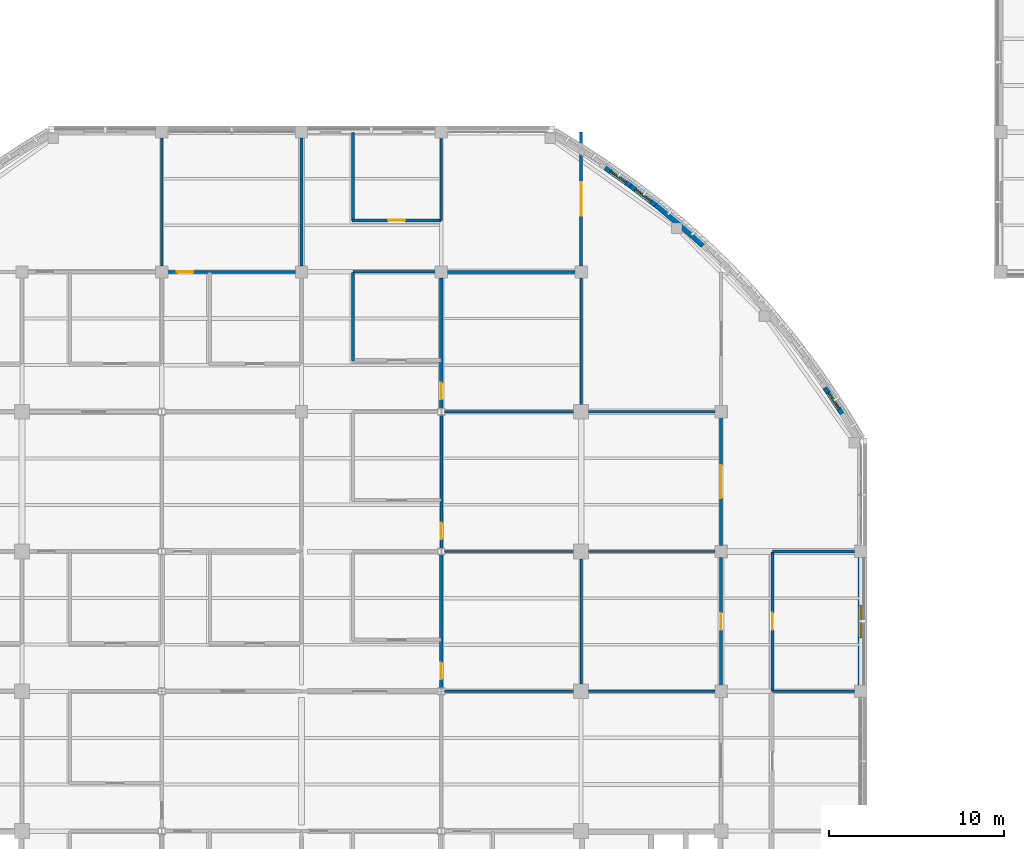
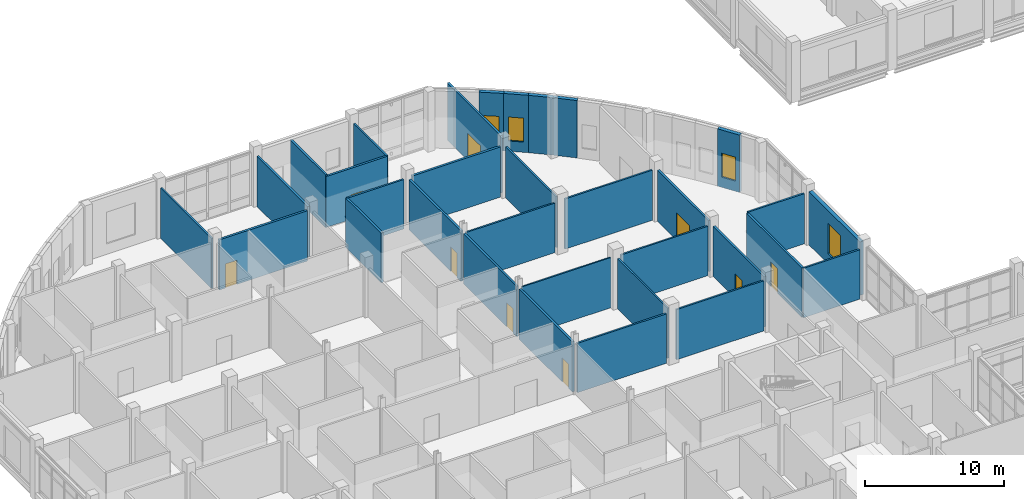
# One storey, part 73 of 105: 32 walls, 9 doors, 4 windows, 13 openings.
"""IFC4 building model written with IfcOpenShell, lengths in metres."""

from ifc_helpers import new_model, si_unit, derived_unit, direction, frame, frame_2d, origin, place, context, subcontext, project, spatial, rectangle, extrude, material, layer, layer_set, type_object, element, fill, save


model = new_model("IFC4")

# Units and contexts
model_context = context("Model", 3, precision=1e-05, world=origin(), true_north=direction((0.0, 1.0)))
body_context = subcontext(model_context, "Body", "Model", "MODEL_VIEW")
ifc_project = project(units=[si_unit("LENGTHUNIT", "METRE"), si_unit("AREAUNIT", "SQUARE_METRE"), si_unit("VOLUMEUNIT", "CUBIC_METRE"), si_unit("PLANEANGLEUNIT", "RADIAN"), si_unit("MASSUNIT", "GRAM", prefix="KILO"), derived_unit("THERMALTRANSMITTANCEUNIT", [(si_unit("MASSUNIT", "GRAM", prefix="KILO"), 1), (si_unit("TIMEUNIT", "SECOND"), -3), (si_unit("THERMODYNAMICTEMPERATUREUNIT", "KELVIN"), -1)])], contexts=[model_context])

# Site, building, storey
site_placement = place(None, origin())
site = spatial("IfcSite", under=ifc_project, at=site_placement, CompositionType="ELEMENT")
building_placement = place(site_placement, origin())
building = spatial("IfcBuilding", under=site, at=building_placement, Name="Veyamyaing Civic Hall", CompositionType="ELEMENT")
storey_placement = place(building_placement, origin())
storey = spatial("IfcBuildingStorey", under=building, at=storey_placement, Name="L00", CompositionType="ELEMENT", Elevation=0.0)

# Wall, opening, window
ifc_material_1 = material(Name="Precast concrete C40/50", Category="concrete")
ifc_layer_1 = layer(ifc_material_1, 0.304931640625, Name="Precast concrete C40/50")
ifc_layer_set_1 = layer_set([ifc_layer_1], Name="Precast concrete C40/50")
wall_type_1 = type_object("IfcWallType", Name="WT-03", PredefinedType="SOLIDWALL", material=ifc_layer_set_1)
wall_1_placement = place(storey_placement, frame((118.94384765625, 79.88330078125, 0.0), z_axis=(0.0, 0.0, 1.0), x_axis=(-0.547681678944, 0.836686786408, 0.0)))
wall_1 = element("IfcWall", 1, at=wall_1_placement, inside=storey, type_object=wall_type_1, Name="Curved corner facade wall WT-03 L00 NE.2", PredefinedType="SOLIDWALL", context=body_context, shape_type="SweptSolid", body=[
    extrude(rectangle(XDim=1.795166015625, YDim=0.304931640625, at=frame_2d((0.8974609375, 0.0))), origin(), (0.0, 0.0, 1.0), 5.034912109375),
])
opening_1_placement = place(wall_1_placement, frame((0.347412109375, 0.0, 0.89990234375)))
opening_1 = element("IfcOpeningElement", 2, at=opening_1_placement, cuts=wall_1, Name="Opening W-15", PredefinedType="OPENING", context=body_context, shape_type="SweptSolid", body=[
    extrude(rectangle(XDim=1.10009765625, YDim=2.10009765625, at=frame_2d((0.550048828125, 1.050048828125))), frame((0.0, 0.162353515625, 0.0), z_axis=(0.0, -1.0, 0.0), x_axis=(1.0, 0.0, 0.0)), (0.0, 0.0, 1.0), 0.324951171875),
])
ifc_material_2 = material(Name="Low-E insulated glass", Category="glass")
window_type_1 = type_object("IfcWindowType", Name="W-15", PartitioningType="SINGLE_PANEL", PredefinedType="WINDOW", material=ifc_material_2)
window_1_placement = place(opening_1_placement, origin())
window_1 = element("IfcWindow", 3, at=window_1_placement, inside=storey, type_object=window_type_1, Name="Curved ribbon window W-15 L00 NE.2", OverallHeight=2.10009765625, OverallWidth=1.10009765625, PartitioningType="SINGLE_PANEL", PredefinedType="WINDOW", context=body_context, shape_type="SweptSolid", body=[
    extrude(rectangle(XDim=1.10009765625, YDim=2.10009765625, at=frame_2d((0.550048828125, 1.050048828125))), frame((0.0, 0.030029296875, 0.0), z_axis=(0.0, -1.0, 0.0), x_axis=(1.0, 0.0, 0.0)), (0.0, 0.0, 1.0), 0.06005859375),
])
fill(opening_1, window_1)

# Walls
wall_2_placement = place(storey_placement, frame((110.975830078125, 89.501708984375, 0.0), z_axis=(0.0, 0.0, 1.0), x_axis=(-0.745703543965, 0.666277888361, 0.0)))
element("IfcWall", 4, at=wall_2_placement, inside=storey, type_object=wall_type_1, Name="Curved corner facade wall WT-03 L00 NE.9", PredefinedType="SOLIDWALL", context=body_context, shape_type="SweptSolid", body=[
    extrude(rectangle(XDim=1.795166015625, YDim=0.304931640625, at=frame_2d((0.8974609375, 0.0))), origin(), (0.0, 0.0, 1.0), 5.034912109375),
])
wall_3_placement = place(storey_placement, frame((109.6416015625, 90.694091796875, 0.0), z_axis=(0.0, 0.0, 1.0), x_axis=(-0.769991012207, 0.638054732073, 0.0)))
element("IfcWall", 5, at=wall_3_placement, inside=storey, type_object=wall_type_1, Name="Curved corner facade wall WT-03 L00 NE.10", PredefinedType="SOLIDWALL", context=body_context, shape_type="SweptSolid", body=[
    extrude(rectangle(XDim=1.794921875, YDim=0.304931640625, at=frame_2d((0.8974609375, 0.0))), origin(), (0.0, 0.0, 1.0), 5.034912109375),
])

# Wall, opening, window
wall_4_placement = place(storey_placement, frame((108.263916015625, 91.835693359375, 0.0), z_axis=(0.0, 0.0, 1.0), x_axis=(-0.793341406114, 0.608776981616, 0.0)))
wall_4 = element("IfcWall", 6, at=wall_4_placement, inside=storey, type_object=wall_type_1, Name="Curved corner facade wall WT-03 L00 NE.11", PredefinedType="SOLIDWALL", context=body_context, shape_type="SweptSolid", body=[
    extrude(rectangle(XDim=1.794921875, YDim=0.304931640625, at=frame_2d((0.8974609375, 0.0))), origin(), (0.0, 0.0, 1.0), 5.034912109375),
])
opening_2_placement = place(wall_4_placement, frame((0.347412109375, 0.0, 0.89990234375)))
opening_2 = element("IfcOpeningElement", 7, at=opening_2_placement, cuts=wall_4, Name="Opening W-15", PredefinedType="OPENING", context=body_context, shape_type="SweptSolid", body=[
    extrude(rectangle(XDim=1.10009765625, YDim=2.10009765625, at=frame_2d((0.550048828125, 1.050048828125))), frame((0.0, 0.162353515625, 0.0), z_axis=(0.0, -1.0, 0.0), x_axis=(1.0, 0.0, 0.0)), (0.0, 0.0, 1.0), 0.324951171875),
])
window_2_placement = place(opening_2_placement, origin())
window_2 = element("IfcWindow", 8, at=window_2_placement, inside=storey, type_object=window_type_1, Name="Curved ribbon window W-15 L00 NE.11", OverallHeight=2.10009765625, OverallWidth=1.10009765625, PartitioningType="SINGLE_PANEL", PredefinedType="WINDOW", context=body_context, shape_type="SweptSolid", body=[
    extrude(rectangle(XDim=1.10009765625, YDim=2.10009765625, at=frame_2d((0.550048828125, 1.050048828125))), frame((0.0, 0.030029296875, 0.0), z_axis=(0.0, -1.0, 0.0), x_axis=(1.0, 0.0, 0.0)), (0.0, 0.0, 1.0), 0.06005859375),
])
fill(opening_2, window_2)

wall_5_placement = place(storey_placement, frame((106.844482421875, 92.925048828125, 0.0), z_axis=(0.0, 0.0, 1.0), x_axis=(-0.815567185578, 0.578662393636, 0.0)))
wall_5 = element("IfcWall", 9, at=wall_5_placement, inside=storey, type_object=wall_type_1, Name="Curved corner facade wall WT-03 L00 NE.12", PredefinedType="SOLIDWALL", context=body_context, shape_type="SweptSolid", body=[
    extrude(rectangle(XDim=1.795166015625, YDim=0.304931640625, at=frame_2d((0.8974609375, 0.0))), origin(), (0.0, 0.0, 1.0), 5.034912109375),
])
opening_3_placement = place(wall_5_placement, frame((0.34765625, 0.0, 0.89990234375)))
opening_3 = element("IfcOpeningElement", 10, at=opening_3_placement, cuts=wall_5, Name="Opening W-15", PredefinedType="OPENING", context=body_context, shape_type="SweptSolid", body=[
    extrude(rectangle(XDim=1.10009765625, YDim=2.10009765625, at=frame_2d((0.550048828125, 1.050048828125))), frame((0.0, 0.162353515625, 0.0), z_axis=(0.0, -1.0, 0.0), x_axis=(1.0, 0.0, 0.0)), (0.0, 0.0, 1.0), 0.324951171875),
])
window_3_placement = place(opening_3_placement, origin())
window_3 = element("IfcWindow", 11, at=window_3_placement, inside=storey, type_object=window_type_1, Name="Curved ribbon window W-15 L00 NE.12", OverallHeight=2.10009765625, OverallWidth=1.10009765625, PartitioningType="SINGLE_PANEL", PredefinedType="WINDOW", context=body_context, shape_type="SweptSolid", body=[
    extrude(rectangle(XDim=1.10009765625, YDim=2.10009765625, at=frame_2d((0.550048828125, 1.050048828125))), frame((0.0, 0.030029296875, 0.0), z_axis=(0.0, -1.0, 0.0), x_axis=(1.0, 0.0, 0.0)), (0.0, 0.0, 1.0), 0.06005859375),
])
fill(opening_3, window_3)

wall_6_placement = place(storey_placement, frame((120.0, 64.3349609375, 0.0), z_axis=(0.0, 0.0, 1.0), x_axis=(0.0, 1.0, 0.0)))
wall_6 = element("IfcWall", 12, at=wall_6_placement, inside=storey, type_object=wall_type_1, Name="Exterior facade wall WT-03 L00 E 15.9", PredefinedType="SOLIDWALL", context=body_context, shape_type="SweptSolid", body=[
    extrude(rectangle(XDim=7.330078125, YDim=0.304931640625, at=frame_2d((3.6650390625, 0.0))), origin(), (0.0, 0.0, 1.0), 4.677001953125),
])
opening_4_placement = place(wall_6_placement, frame((2.739990234375, 0.0, 0.89990234375)))
opening_4 = element("IfcOpeningElement", 13, at=opening_4_placement, cuts=wall_6, Name="Opening W-03", PredefinedType="OPENING", context=body_context, shape_type="SweptSolid", body=[
    extrude(rectangle(XDim=1.85009765625, YDim=2.64990234375, at=frame_2d((0.925048828125, 1.324951171875))), frame((0.0, 0.162353515625, 0.0), z_axis=(0.0, -1.0, 0.0), x_axis=(1.0, 0.0, 0.0)), (0.0, 0.0, 1.0), 0.324951171875),
])
window_type_2 = type_object("IfcWindowType", Name="W-03", PartitioningType="SINGLE_PANEL", PredefinedType="WINDOW", material=ifc_material_2)
window_4_placement = place(opening_4_placement, origin())
window_4 = element("IfcWindow", 14, at=window_4_placement, inside=storey, type_object=window_type_2, Name="Facade window W-03 L00 E 15.9", OverallHeight=2.64990234375, OverallWidth=1.85009765625, PartitioningType="SINGLE_PANEL", PredefinedType="WINDOW", context=body_context, shape_type="SweptSolid", body=[
    extrude(rectangle(XDim=1.85009765625, YDim=2.64990234375, at=frame_2d((0.925048828125, 1.324951171875))), frame((0.0, 0.030029296875, 0.0), z_axis=(0.0, -1.0, 0.0), x_axis=(1.0, 0.0, 0.0)), (0.0, 0.0, 1.0), 0.06005859375),
])
fill(opening_4, window_4)

# Wall, opening, door
ifc_material_3 = material(Name="Gypsum board on acoustic steel stud", Category="steel")
ifc_layer_2 = layer(ifc_material_3, 0.175048828125, Name="Gypsum board on acoustic steel stud")
ifc_layer_set_2 = layer_set([ifc_layer_2], Name="Gypsum board on acoustic steel stud")
wall_type_2 = type_object("IfcWallType", Name="WT-07", PredefinedType="PARTITIONING", material=ifc_layer_set_2)
wall_7_placement = place(storey_placement, frame((90.89990234375, 90.949951171875, 0.0), z_axis=(0.0, 0.0, 1.0), x_axis=(1.0, 0.0, 0.0)))
wall_7 = element("IfcWall", 15, at=wall_7_placement, inside=storey, type_object=wall_type_2, Name="Corridor gallery partition WT-07 L00.45.1", PredefinedType="PARTITIONING", context=body_context, shape_type="SweptSolid", body=[
    extrude(rectangle(XDim=5.080078125, YDim=0.175048828125, at=frame_2d((2.5400390625, 0.0))), origin(), (0.0, 0.0, 1.0), 4.470947265625),
])
opening_5_placement = place(wall_7_placement, frame((2.06005859375, 0.0, 0.0)))
opening_5 = element("IfcOpeningElement", 16, at=opening_5_placement, cuts=wall_7, Name="Opening D-25", PredefinedType="OPENING", context=body_context, shape_type="SweptSolid", body=[
    extrude(rectangle(XDim=0.9599609375, YDim=2.139892578125, at=frame_2d((0.47998046875, 1.06982421875))), frame((0.0, 0.097412109375, 0.0), z_axis=(0.0, -1.0, 0.0), x_axis=(1.0, 0.0, 0.0)), (0.0, 0.0, 1.0), 0.195068359375),
])
ifc_material_4 = material(Name="Teak-veneered acoustic timber", Category="wood")
door_type_1 = type_object("IfcDoorType", Name="D-25", OperationType="NOTDEFINED", PredefinedType="DOOR", material=ifc_material_4)
door_1_placement = place(opening_5_placement, origin())
door_1 = element("IfcDoor", 17, at=door_1_placement, inside=storey, type_object=door_type_1, Name="Gallery office door D-25 L00.45", OperationType="SINGLE_SWING_RIGHT", OverallHeight=2.139892578125, OverallWidth=0.9599609375, PredefinedType="DOOR", context=body_context, shape_type="SweptSolid", body=[
    extrude(rectangle(XDim=0.9599609375, YDim=2.139892578125, at=frame_2d((0.47998046875, 1.06982421875))), frame((0.0, 0.02490234375, 0.0), z_axis=(0.0, -1.0, 0.0), x_axis=(1.0, 0.0, 0.0)), (0.0, 0.0, 1.0), 0.050048828125),
])
fill(opening_5, door_1)

# Wall
wall_8_placement = place(storey_placement, frame((90.949951171875, 90.89990234375, 0.0), z_axis=(0.0, 0.0, 1.0), x_axis=(0.0, 1.0, 0.0)))
element("IfcWall", 18, at=wall_8_placement, inside=storey, type_object=wall_type_2, Name="Corridor gallery partition WT-07 L00.45.2", PredefinedType="PARTITIONING", context=body_context, shape_type="SweptSolid", body=[
    extrude(rectangle(XDim=5.080078125, YDim=0.175048828125, at=frame_2d((2.5400390625, 0.0))), origin(), (0.0, 0.0, 1.0), 4.613037109375),
])

# Wall, opening, door
wall_9_placement = place(storey_placement, frame((114.949951171875, 64.02001953125, 0.0), z_axis=(0.0, 0.0, 1.0), x_axis=(0.0, 1.0, 0.0)))
wall_9 = element("IfcWall", 19, at=wall_9_placement, inside=storey, type_object=wall_type_2, Name="Corridor gallery partition WT-07 L00.51.1", PredefinedType="PARTITIONING", context=body_context, shape_type="SweptSolid", body=[
    extrude(rectangle(XDim=7.9599609375, YDim=0.175048828125, at=frame_2d((3.97998046875, 0.0))), origin(), (0.0, 0.0, 1.0), 4.3359375),
])
opening_6_placement = place(wall_9_placement, frame((3.489990234375, 0.0, 0.0)))
opening_6 = element("IfcOpeningElement", 20, at=opening_6_placement, cuts=wall_9, Name="Opening D-14", PredefinedType="OPENING", context=body_context, shape_type="SweptSolid", body=[
    extrude(rectangle(XDim=0.97998046875, YDim=2.14990234375, at=frame_2d((0.489990234375, 1.074951171875))), frame((0.0, 0.097412109375, 0.0), z_axis=(0.0, -1.0, 0.0), x_axis=(1.0, 0.0, 0.0)), (0.0, 0.0, 1.0), 0.195068359375),
])
door_type_2 = type_object("IfcDoorType", Name="D-14", OperationType="NOTDEFINED", PredefinedType="DOOR", material=ifc_material_4)
door_2_placement = place(opening_6_placement, frame((0.97998046875, 0.0, 0.0), z_axis=(0.0, 0.0, 1.0), x_axis=(-1.0, 0.0, 0.0)))
door_2 = element("IfcDoor", 21, at=door_2_placement, inside=storey, type_object=door_type_2, Name="Gallery office door D-14 L00.51", OperationType="SINGLE_SWING_RIGHT", OverallHeight=2.14990234375, OverallWidth=0.97998046875, PredefinedType="DOOR", context=body_context, shape_type="SweptSolid", body=[
    extrude(rectangle(XDim=0.97998046875, YDim=2.14990234375, at=frame_2d((0.489990234375, 1.074951171875))), frame((0.0, 0.02490234375, 0.0), z_axis=(0.0, -1.0, 0.0), x_axis=(1.0, 0.0, 0.0)), (0.0, 0.0, 1.0), 0.050048828125),
])
fill(opening_6, door_2)

# Wall
wall_10_placement = place(storey_placement, frame((88.0, 88.340087890625, 0.0), z_axis=(0.0, 0.0, 1.0), x_axis=(0.0, 1.0, 0.0)))
element("IfcWall", 22, at=wall_10_placement, inside=storey, type_object=wall_type_2, Name="Interior partition wall WT-07 L00.81", PredefinedType="PARTITIONING", context=body_context, shape_type="SweptSolid", body=[
    extrude(rectangle(XDim=7.31982421875, YDim=0.175048828125, at=frame_2d((3.659912109375, 0.0))), origin(), (0.0, 0.0, 1.0), 4.404052734375),
])

# Wall, opening, door
wall_11_placement = place(storey_placement, frame((96.0, 72.18359375, 0.0), z_axis=(0.0, 0.0, 1.0), x_axis=(0.0, 1.0, 0.0)))
wall_11 = element("IfcWall", 23, at=wall_11_placement, inside=storey, type_object=wall_type_2, Name="Interior partition wall WT-07 L00.93", PredefinedType="PARTITIONING", context=body_context, shape_type="SweptSolid", body=[
    extrude(rectangle(XDim=7.6328125, YDim=0.175048828125, at=frame_2d((3.81640625, 0.0))), origin(), (0.0, 0.0, 1.0), 4.412109375),
])
opening_7_placement = place(wall_11_placement, frame((0.52001953125, 0.0, 0.0)))
opening_7 = element("IfcOpeningElement", 24, at=opening_7_placement, cuts=wall_11, Name="Opening D-30", PredefinedType="OPENING", context=body_context, shape_type="SweptSolid", body=[
    extrude(rectangle(XDim=0.93994140625, YDim=2.1201171875, at=frame_2d((0.469970703125, 1.06005859375))), frame((0.0, 0.097412109375, 0.0), z_axis=(0.0, -1.0, 0.0), x_axis=(1.0, 0.0, 0.0)), (0.0, 0.0, 1.0), 0.195068359375),
])
door_type_3 = type_object("IfcDoorType", Name="D-30", OperationType="NOTDEFINED", PredefinedType="DOOR", material=ifc_material_4)
door_3_placement = place(opening_7_placement, frame((0.93994140625, 0.0, 0.0), z_axis=(0.0, 0.0, 1.0), x_axis=(-1.0, 0.0, 0.0)))
door_3 = element("IfcDoor", 25, at=door_3_placement, inside=storey, type_object=door_type_3, Name="Interior door D-30 L00.93", OperationType="SINGLE_SWING_LEFT", OverallHeight=2.1201171875, OverallWidth=0.93994140625, PredefinedType="DOOR", context=body_context, shape_type="SweptSolid", body=[
    extrude(rectangle(XDim=0.93994140625, YDim=2.1201171875, at=frame_2d((0.469970703125, 1.06005859375))), frame((0.0, 0.02490234375, 0.0), z_axis=(0.0, -1.0, 0.0), x_axis=(1.0, 0.0, 0.0)), (0.0, 0.0, 1.0), 0.050048828125),
])
fill(opening_7, door_3)

wall_12_placement = place(storey_placement, frame((104.0, 88.340087890625, 0.0), z_axis=(0.0, 0.0, 1.0), x_axis=(0.0, 1.0, 0.0)))
wall_12 = element("IfcWall", 26, at=wall_12_placement, inside=storey, type_object=wall_type_2, Name="Interior partition wall WT-07 L00.109", PredefinedType="PARTITIONING", context=body_context, shape_type="SweptSolid", body=[
    extrude(rectangle(XDim=7.659912109375, YDim=0.175048828125, at=frame_2d((3.830078125, 0.0))), origin(), (0.0, 0.0, 1.0), 5.02490234375),
])
opening_8_placement = place(wall_12_placement, frame((2.8798828125, 0.0, 0.0)))
opening_8 = element("IfcOpeningElement", 27, at=opening_8_placement, cuts=wall_12, Name="Opening D-31", PredefinedType="OPENING", context=body_context, shape_type="SweptSolid", body=[
    extrude(rectangle(XDim=1.89990234375, YDim=2.3798828125, at=frame_2d((0.949951171875, 1.18994140625))), frame((0.0, 0.097412109375, 0.0), z_axis=(0.0, -1.0, 0.0), x_axis=(1.0, 0.0, 0.0)), (0.0, 0.0, 1.0), 0.195068359375),
])
door_type_4 = type_object("IfcDoorType", Name="D-31", OperationType="DOUBLE_DOOR_SINGLE_SWING", PredefinedType="DOOR", material=ifc_material_4)
door_4_placement = place(opening_8_placement, frame((1.89990234375, 0.0, 0.0), z_axis=(0.0, 0.0, 1.0), x_axis=(-1.0, 0.0, 0.0)))
door_4 = element("IfcDoor", 28, at=door_4_placement, inside=storey, type_object=door_type_4, Name="Interior door D-31 L00.109", OperationType="DOUBLE_DOOR_SINGLE_SWING", OverallHeight=2.3798828125, OverallWidth=1.89990234375, PredefinedType="DOOR", context=body_context, shape_type="SweptSolid", body=[
    extrude(rectangle(XDim=1.89990234375, YDim=2.3798828125, at=frame_2d((0.949951171875, 1.18994140625))), frame((0.0, 0.02490234375, 0.0), z_axis=(0.0, -1.0, 0.0), x_axis=(1.0, 0.0, 0.0)), (0.0, 0.0, 1.0), 0.050048828125),
])
fill(opening_8, door_4)

wall_13_placement = place(storey_placement, frame((112.0, 64.340087890625, 0.0), z_axis=(0.0, 0.0, 1.0), x_axis=(0.0, 1.0, 0.0)))
wall_13 = element("IfcWall", 29, at=wall_13_placement, inside=storey, type_object=wall_type_2, Name="Interior partition wall WT-07 L00.115", PredefinedType="PARTITIONING", context=body_context, shape_type="SweptSolid", body=[
    extrude(rectangle(XDim=7.31982421875, YDim=0.175048828125, at=frame_2d((3.659912109375, 0.0))), origin(), (0.0, 0.0, 1.0), 4.404052734375),
])
opening_9_placement = place(wall_13_placement, frame((3.179931640625, 0.0, 0.0)))
opening_9 = element("IfcOpeningElement", 30, at=opening_9_placement, cuts=wall_13, Name="Opening D-25", PredefinedType="OPENING", context=body_context, shape_type="SweptSolid", body=[
    extrude(rectangle(XDim=0.9599609375, YDim=2.139892578125, at=frame_2d((0.47998046875, 1.06982421875))), frame((0.0, 0.097412109375, 0.0), z_axis=(0.0, -1.0, 0.0), x_axis=(1.0, 0.0, 0.0)), (0.0, 0.0, 1.0), 0.195068359375),
])
door_5_placement = place(opening_9_placement, origin())
door_5 = element("IfcDoor", 31, at=door_5_placement, inside=storey, type_object=door_type_1, Name="Interior door D-25 L00.115", OperationType="SINGLE_SWING_LEFT", OverallHeight=2.139892578125, OverallWidth=0.9599609375, PredefinedType="DOOR", context=body_context, shape_type="SweptSolid", body=[
    extrude(rectangle(XDim=0.9599609375, YDim=2.139892578125, at=frame_2d((0.47998046875, 1.06982421875))), frame((0.0, 0.02490234375, 0.0), z_axis=(0.0, -1.0, 0.0), x_axis=(1.0, 0.0, 0.0)), (0.0, 0.0, 1.0), 0.050048828125),
])
fill(opening_9, door_5)

wall_14_placement = place(storey_placement, frame((112.0, 72.340087890625, 0.0), z_axis=(0.0, 0.0, 1.0), x_axis=(0.0, 1.0, 0.0)))
wall_14 = element("IfcWall", 32, at=wall_14_placement, inside=storey, type_object=wall_type_2, Name="Interior partition wall WT-07 L00.117", PredefinedType="PARTITIONING", context=body_context, shape_type="SweptSolid", body=[
    extrude(rectangle(XDim=7.31982421875, YDim=0.175048828125, at=frame_2d((3.659912109375, 0.0))), origin(), (0.0, 0.0, 1.0), 4.470947265625),
])
opening_10_placement = place(wall_14_placement, frame((2.7099609375, 0.0, 0.0)))
opening_10 = element("IfcOpeningElement", 33, at=opening_10_placement, cuts=wall_14, Name="Opening D-31", PredefinedType="OPENING", context=body_context, shape_type="SweptSolid", body=[
    extrude(rectangle(XDim=1.89990234375, YDim=2.3798828125, at=frame_2d((0.949951171875, 1.18994140625))), frame((0.0, 0.097412109375, 0.0), z_axis=(0.0, -1.0, 0.0), x_axis=(1.0, 0.0, 0.0)), (0.0, 0.0, 1.0), 0.195068359375),
])
door_6_placement = place(opening_10_placement, origin())
door_6 = element("IfcDoor", 34, at=door_6_placement, inside=storey, type_object=door_type_4, Name="Interior door D-31 L00.117", OperationType="DOUBLE_DOOR_SINGLE_SWING", OverallHeight=2.3798828125, OverallWidth=1.89990234375, PredefinedType="DOOR", context=body_context, shape_type="SweptSolid", body=[
    extrude(rectangle(XDim=1.89990234375, YDim=2.3798828125, at=frame_2d((0.949951171875, 1.18994140625))), frame((0.0, 0.02490234375, 0.0), z_axis=(0.0, -1.0, 0.0), x_axis=(1.0, 0.0, 0.0)), (0.0, 0.0, 1.0), 0.050048828125),
])
fill(opening_10, door_6)

# Walls
ifc_material_5 = material(Name="Gypsum board on steel stud", Category="steel")
ifc_layer_3 = layer(ifc_material_5, 0.14990234375, Name="Gypsum board on steel stud")
ifc_layer_set_3 = layer_set([ifc_layer_3], Name="Gypsum board on steel stud")
wall_type_3 = type_object("IfcWallType", Name="WT-08", PredefinedType="PARTITIONING", material=ifc_layer_set_3)
wall_15_placement = place(storey_placement, frame((90.949951171875, 88.0, 0.0), z_axis=(0.0, 0.0, 1.0), x_axis=(1.0, 0.0, 0.0)))
element("IfcWall", 35, at=wall_15_placement, inside=storey, type_object=wall_type_3, Name="Gallery office end partition WT-08 L00.44.1", PredefinedType="PARTITIONING", context=body_context, shape_type="SweptSolid", body=[
    extrude(rectangle(XDim=4.68994140625, YDim=0.14990234375, at=frame_2d((2.344970703125, 0.0))), origin(), (0.0, 0.0, 1.0), 4.3359375),
])
wall_16_placement = place(storey_placement, frame((96.0, 90.949951171875, 0.0), z_axis=(0.0, 0.0, 1.0), x_axis=(0.0, 1.0, 0.0)))
element("IfcWall", 36, at=wall_16_placement, inside=storey, type_object=wall_type_3, Name="Gallery office end partition WT-08 L00.45.2", PredefinedType="PARTITIONING", context=body_context, shape_type="SweptSolid", body=[
    extrude(rectangle(XDim=4.68994140625, YDim=0.14990234375, at=frame_2d((2.344970703125, 0.0))), origin(), (0.0, 0.0, 1.0), 4.470947265625),
])
wall_17_placement = place(storey_placement, frame((114.949951171875, 64.0, 0.0), z_axis=(0.0, 0.0, 1.0), x_axis=(1.0, 0.0, 0.0)))
element("IfcWall", 37, at=wall_17_placement, inside=storey, type_object=wall_type_3, Name="Gallery office end partition WT-08 L00.50.2", PredefinedType="PARTITIONING", context=body_context, shape_type="SweptSolid", body=[
    extrude(rectangle(XDim=4.68994140625, YDim=0.14990234375, at=frame_2d((2.344970703125, 0.0))), origin(), (0.0, 0.0, 1.0), 4.3359375),
])
wall_18_placement = place(storey_placement, frame((114.949951171875, 72.0, 0.0), z_axis=(0.0, 0.0, 1.0), x_axis=(1.0, 0.0, 0.0)))
element("IfcWall", 38, at=wall_18_placement, inside=storey, type_object=wall_type_3, Name="Gallery office end partition WT-08 L00.51.2", PredefinedType="PARTITIONING", context=body_context, shape_type="SweptSolid", body=[
    extrude(rectangle(XDim=4.68994140625, YDim=0.14990234375, at=frame_2d((2.344970703125, 0.0))), origin(), (0.0, 0.0, 1.0), 4.404052734375),
])
wall_19_placement = place(storey_placement, frame((96.18896484375, 64.0, 0.0), z_axis=(0.0, 0.0, 1.0), x_axis=(1.0, 0.0, 0.0)))
element("IfcWall", 39, at=wall_19_placement, inside=storey, type_object=wall_type_3, Name="Interior partition wall WT-08 L00.103", PredefinedType="PARTITIONING", context=body_context, shape_type="SweptSolid", body=[
    extrude(rectangle(XDim=7.39599609375, YDim=0.14990234375, at=frame_2d((3.697998046875, 0.0))), origin(), (0.0, 0.0, 1.0), 4.326904296875),
])
wall_20_placement = place(storey_placement, frame((104.0, 80.4150390625, 0.0), z_axis=(0.0, 0.0, 1.0), x_axis=(0.0, 1.0, 0.0)))
element("IfcWall", 40, at=wall_20_placement, inside=storey, type_object=wall_type_3, Name="Interior partition wall WT-08 L00.107", PredefinedType="PARTITIONING", context=body_context, shape_type="SweptSolid", body=[
    extrude(rectangle(XDim=7.244873046875, YDim=0.14990234375, at=frame_2d((3.62255859375, 0.0))), origin(), (0.0, 0.0, 1.0), 4.470947265625),
])
ifc_layer_4 = layer(ifc_material_5, 0.135009765625, Name="Gypsum board on steel stud")
ifc_layer_set_4 = layer_set([ifc_layer_4], Name="Gypsum board on steel stud")
wall_type_4 = type_object("IfcWallType", Name="WT-15", PredefinedType="PARTITIONING", material=ifc_layer_set_4)
wall_21_placement = place(storey_placement, frame((80.0, 88.340087890625, 0.0), z_axis=(0.0, 0.0, 1.0), x_axis=(0.0, 1.0, 0.0)))
element("IfcWall", 41, at=wall_21_placement, inside=storey, type_object=wall_type_4, Name="Interior partition wall WT-15 L00.72", PredefinedType="PARTITIONING", context=body_context, shape_type="SweptSolid", body=[
    extrude(rectangle(XDim=7.31982421875, YDim=0.135009765625, at=frame_2d((3.659912109375, 0.0))), origin(), (0.0, 0.0, 1.0), 4.412109375),
])
wall_22_placement = place(storey_placement, frame((104.0, 64.4150390625, 0.0), z_axis=(0.0, 0.0, 1.0), x_axis=(0.0, 1.0, 0.0)))
element("IfcWall", 42, at=wall_22_placement, inside=storey, type_object=wall_type_4, Name="Interior partition wall WT-15 L00.104", PredefinedType="PARTITIONING", context=body_context, shape_type="SweptSolid", body=[
    extrude(rectangle(XDim=7.169921875, YDim=0.135009765625, at=frame_2d((3.5849609375, 0.0))), origin(), (0.0, 0.0, 1.0), 4.412109375),
])
wall_23_placement = place(storey_placement, frame((104.4150390625, 72.0, 0.0), z_axis=(0.0, 0.0, 1.0), x_axis=(1.0, 0.0, 0.0)))
element("IfcWall", 43, at=wall_23_placement, inside=storey, type_object=wall_type_4, Name="Interior partition wall WT-15 L00.116", PredefinedType="PARTITIONING", context=body_context, shape_type="SweptSolid", body=[
    extrude(rectangle(XDim=7.244873046875, YDim=0.135009765625, at=frame_2d((3.62255859375, 0.0))), origin(), (0.0, 0.0, 1.0), 4.3359375),
])
ifc_layer_5 = layer(ifc_material_5, 0.1201171875, Name="Gypsum board on steel stud")
ifc_layer_set_5 = layer_set([ifc_layer_5], Name="Gypsum board on steel stud")
wall_type_5 = type_object("IfcWallType", Name="WT-16", PredefinedType="PARTITIONING", material=ifc_layer_set_5)
wall_24_placement = place(storey_placement, frame((96.18896484375, 72.0, 0.0), z_axis=(0.0, 0.0, 1.0), x_axis=(1.0, 0.0, 0.0)))
element("IfcWall", 44, at=wall_24_placement, inside=storey, type_object=wall_type_5, Name="Interior partition wall WT-16 L00.105", PredefinedType="PARTITIONING", context=body_context, shape_type="SweptSolid", body=[
    extrude(rectangle(XDim=7.39599609375, YDim=0.1201171875, at=frame_2d((3.697998046875, 0.0))), origin(), (0.0, 0.0, 1.0), 4.403076171875),
])
ifc_material_6 = material(Name="Gypsum board on double acoustic stud")
ifc_layer_6 = layer(ifc_material_6, 0.18505859375, Name="Gypsum board on double acoustic stud")
ifc_layer_set_6 = layer_set([ifc_layer_6], Name="Gypsum board on double acoustic stud")
wall_type_6 = type_object("IfcWallType", Name="WT-19", PredefinedType="PARTITIONING", material=ifc_layer_set_6)
wall_25_placement = place(storey_placement, frame((90.949951171875, 82.89990234375, 0.0), z_axis=(0.0, 0.0, 1.0), x_axis=(0.0, 1.0, 0.0)))
element("IfcWall", 45, at=wall_25_placement, inside=storey, type_object=wall_type_6, Name="Corridor gallery partition WT-19 L00.44.2", PredefinedType="PARTITIONING", context=body_context, shape_type="SweptSolid", body=[
    extrude(rectangle(XDim=5.080078125, YDim=0.18505859375, at=frame_2d((2.5400390625, 0.0))), origin(), (0.0, 0.0, 1.0), 4.3359375),
])

# Wall, opening, door
wall_26_placement = place(storey_placement, frame((80.340087890625, 88.0, 0.0), z_axis=(0.0, 0.0, 1.0), x_axis=(1.0, 0.0, 0.0)))
wall_26 = element("IfcWall", 46, at=wall_26_placement, inside=storey, type_object=wall_type_6, Name="Interior partition wall WT-19 L00.80", PredefinedType="PARTITIONING", context=body_context, shape_type="SweptSolid", body=[
    extrude(rectangle(XDim=7.31982421875, YDim=0.18505859375, at=frame_2d((3.659912109375, 0.0))), origin(), (0.0, 0.0, 1.0), 4.403076171875),
])
opening_11_placement = place(wall_26_placement, frame((0.52001953125, 0.0, 0.0)))
opening_11 = element("IfcOpeningElement", 47, at=opening_11_placement, cuts=wall_26, Name="Opening D-30", PredefinedType="OPENING", context=body_context, shape_type="SweptSolid", body=[
    extrude(rectangle(XDim=0.93994140625, YDim=2.1201171875, at=frame_2d((0.469970703125, 1.06005859375))), frame((0.0, 0.1025390625, 0.0), z_axis=(0.0, -1.0, 0.0), x_axis=(1.0, 0.0, 0.0)), (0.0, 0.0, 1.0), 0.205078125),
])
door_7_placement = place(opening_11_placement, origin())
door_7 = element("IfcDoor", 48, at=door_7_placement, inside=storey, type_object=door_type_3, Name="Interior door D-30 L00.80", OperationType="SINGLE_SWING_RIGHT", OverallHeight=2.1201171875, OverallWidth=0.93994140625, PredefinedType="DOOR", context=body_context, shape_type="SweptSolid", body=[
    extrude(rectangle(XDim=0.93994140625, YDim=2.1201171875, at=frame_2d((0.469970703125, 1.06005859375))), frame((0.0, 0.02490234375, 0.0), z_axis=(0.0, -1.0, 0.0), x_axis=(1.0, 0.0, 0.0)), (0.0, 0.0, 1.0), 0.050048828125),
])
fill(opening_11, door_7)

wall_27_placement = place(storey_placement, frame((96.0, 64.18359375, 0.0), z_axis=(0.0, 0.0, 1.0), x_axis=(0.0, 1.0, 0.0)))
wall_27 = element("IfcWall", 49, at=wall_27_placement, inside=storey, type_object=wall_type_6, Name="Interior partition wall WT-19 L00.92", PredefinedType="PARTITIONING", context=body_context, shape_type="SweptSolid", body=[
    extrude(rectangle(XDim=7.6328125, YDim=0.18505859375, at=frame_2d((3.81640625, 0.0))), origin(), (0.0, 0.0, 1.0), 4.403076171875),
])
opening_12_placement = place(wall_27_placement, frame((0.52001953125, 0.0, 0.0)))
opening_12 = element("IfcOpeningElement", 50, at=opening_12_placement, cuts=wall_27, Name="Opening D-30", PredefinedType="OPENING", context=body_context, shape_type="SweptSolid", body=[
    extrude(rectangle(XDim=0.93994140625, YDim=2.1201171875, at=frame_2d((0.469970703125, 1.06005859375))), frame((0.0, 0.1025390625, 0.0), z_axis=(0.0, -1.0, 0.0), x_axis=(1.0, 0.0, 0.0)), (0.0, 0.0, 1.0), 0.205078125),
])
door_8_placement = place(opening_12_placement, frame((0.93994140625, 0.0, 0.0), z_axis=(0.0, 0.0, 1.0), x_axis=(-1.0, 0.0, 0.0)))
door_8 = element("IfcDoor", 51, at=door_8_placement, inside=storey, type_object=door_type_3, Name="Interior door D-30 L00.92", OperationType="SINGLE_SWING_RIGHT", OverallHeight=2.1201171875, OverallWidth=0.93994140625, PredefinedType="DOOR", context=body_context, shape_type="SweptSolid", body=[
    extrude(rectangle(XDim=0.93994140625, YDim=2.1201171875, at=frame_2d((0.469970703125, 1.06005859375))), frame((0.0, 0.02490234375, 0.0), z_axis=(0.0, -1.0, 0.0), x_axis=(1.0, 0.0, 0.0)), (0.0, 0.0, 1.0), 0.050048828125),
])
fill(opening_12, door_8)

wall_28_placement = place(storey_placement, frame((96.0, 80.18359375, 0.0), z_axis=(0.0, 0.0, 1.0), x_axis=(0.0, 1.0, 0.0)))
wall_28 = element("IfcWall", 52, at=wall_28_placement, inside=storey, type_object=wall_type_6, Name="Interior partition wall WT-19 L00.94", PredefinedType="PARTITIONING", context=body_context, shape_type="SweptSolid", body=[
    extrude(rectangle(XDim=7.476318359375, YDim=0.18505859375, at=frame_2d((3.73828125, 0.0))), origin(), (0.0, 0.0, 1.0), 4.404052734375),
])
opening_13_placement = place(wall_28_placement, frame((0.52001953125, 0.0, 0.0)))
opening_13 = element("IfcOpeningElement", 53, at=opening_13_placement, cuts=wall_28, Name="Opening D-30", PredefinedType="OPENING", context=body_context, shape_type="SweptSolid", body=[
    extrude(rectangle(XDim=0.93994140625, YDim=2.1201171875, at=frame_2d((0.469970703125, 1.06005859375))), frame((0.0, 0.1025390625, 0.0), z_axis=(0.0, -1.0, 0.0), x_axis=(1.0, 0.0, 0.0)), (0.0, 0.0, 1.0), 0.205078125),
])
door_9_placement = place(opening_13_placement, frame((0.93994140625, 0.0, 0.0), z_axis=(0.0, 0.0, 1.0), x_axis=(-1.0, 0.0, 0.0)))
door_9 = element("IfcDoor", 54, at=door_9_placement, inside=storey, type_object=door_type_3, Name="Interior door D-30 L00.94", OperationType="SINGLE_SWING_RIGHT", OverallHeight=2.1201171875, OverallWidth=0.93994140625, PredefinedType="DOOR", context=body_context, shape_type="SweptSolid", body=[
    extrude(rectangle(XDim=0.93994140625, YDim=2.1201171875, at=frame_2d((0.469970703125, 1.06005859375))), frame((0.0, 0.02490234375, 0.0), z_axis=(0.0, -1.0, 0.0), x_axis=(1.0, 0.0, 0.0)), (0.0, 0.0, 1.0), 0.050048828125),
])
fill(opening_13, door_9)

# Walls
wall_29_placement = place(storey_placement, frame((96.340087890625, 88.0, 0.0), z_axis=(0.0, 0.0, 1.0), x_axis=(1.0, 0.0, 0.0)))
element("IfcWall", 55, at=wall_29_placement, inside=storey, type_object=wall_type_6, Name="Interior partition wall WT-19 L00.108", PredefinedType="PARTITIONING", context=body_context, shape_type="SweptSolid", body=[
    extrude(rectangle(XDim=7.31982421875, YDim=0.18505859375, at=frame_2d((3.659912109375, 0.0))), origin(), (0.0, 0.0, 1.0), 4.404052734375),
])
ifc_layer_7 = layer(ifc_material_5, 0.14208984375, Name="Gypsum board on steel stud")
ifc_layer_set_7 = layer_set([ifc_layer_7], Name="Gypsum board on steel stud")
wall_type_7 = type_object("IfcWallType", Name="WT-20", PredefinedType="PARTITIONING", material=ifc_layer_set_7)
wall_30_placement = place(storey_placement, frame((96.18896484375, 80.0, 0.0), z_axis=(0.0, 0.0, 1.0), x_axis=(1.0, 0.0, 0.0)))
element("IfcWall", 56, at=wall_30_placement, inside=storey, type_object=wall_type_7, Name="Interior partition wall WT-20 L00.106", PredefinedType="PARTITIONING", context=body_context, shape_type="SweptSolid", body=[
    extrude(rectangle(XDim=7.39599609375, YDim=0.14208984375, at=frame_2d((3.697998046875, 0.0))), origin(), (0.0, 0.0, 1.0), 4.3359375),
])
wall_31_placement = place(storey_placement, frame((104.4150390625, 64.0, 0.0), z_axis=(0.0, 0.0, 1.0), x_axis=(1.0, 0.0, 0.0)))
element("IfcWall", 57, at=wall_31_placement, inside=storey, type_object=wall_type_7, Name="Interior partition wall WT-20 L00.114", PredefinedType="PARTITIONING", context=body_context, shape_type="SweptSolid", body=[
    extrude(rectangle(XDim=7.244873046875, YDim=0.14208984375, at=frame_2d((3.62255859375, 0.0))), origin(), (0.0, 0.0, 1.0), 4.403076171875),
])
wall_32_placement = place(storey_placement, frame((104.4150390625, 80.0, 0.0), z_axis=(0.0, 0.0, 1.0), x_axis=(1.0, 0.0, 0.0)))
element("IfcWall", 58, at=wall_32_placement, inside=storey, type_object=wall_type_7, Name="Interior partition wall WT-20 L00.118", PredefinedType="PARTITIONING", context=body_context, shape_type="SweptSolid", body=[
    extrude(rectangle(XDim=7.244873046875, YDim=0.14208984375, at=frame_2d((3.62255859375, 0.0))), origin(), (0.0, 0.0, 1.0), 4.404052734375),
])

save(model, "model.ifc")
